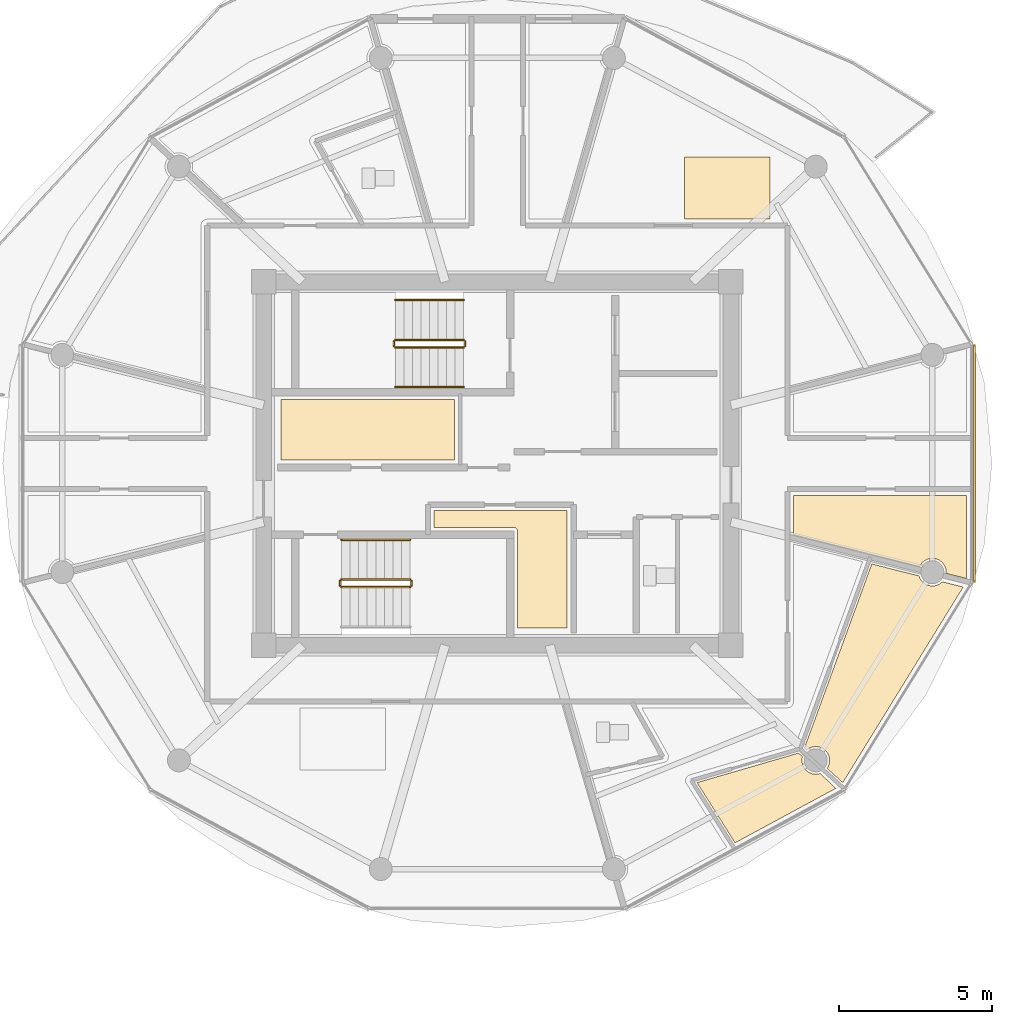
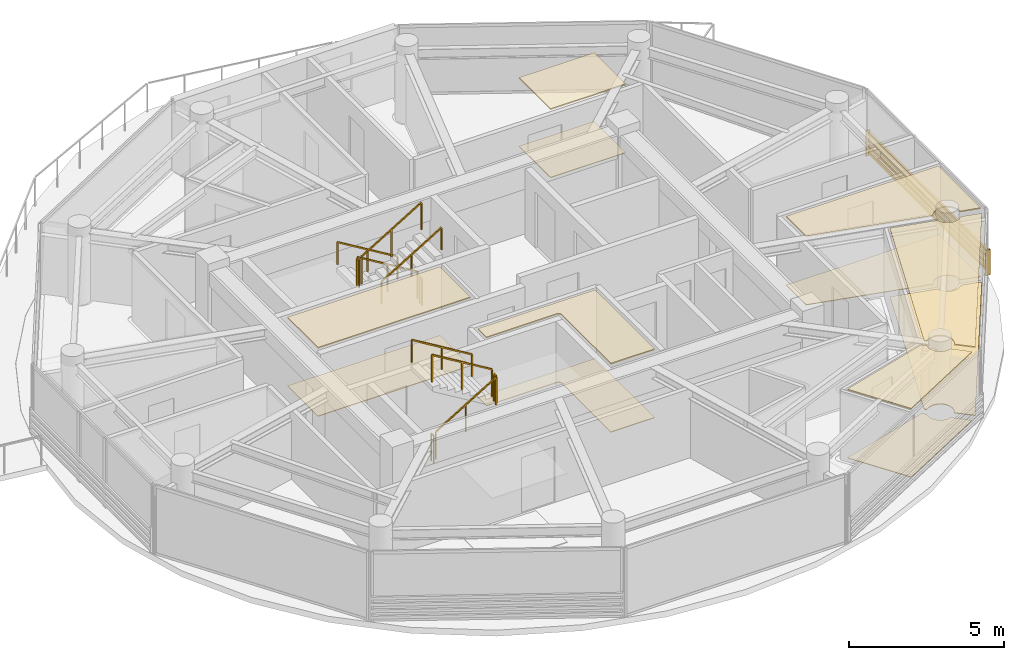
# One storey, part 19 of 21: 12 coverings, 11 railings, 1 shading device.
"""IFC4 building model written with IfcOpenShell, lengths in metres."""

from ifc_helpers import new_model, si_unit, direction, frame, origin, origin_2d, place, context, subcontext, project, spatial, polyline, rectangle, outline, extrude, source, transform, mapped, material, layer, layer_set, type_object, type_shapes, element, save


model = new_model("IFC4")

# Units and contexts
model_context = context("Model", 3, precision=1e-05, world=origin(), true_north=direction((0.0, 1.0)))
body_context = subcontext(model_context, "Body", "Model", "MODEL_VIEW")
ifc_project = project(units=[si_unit("LENGTHUNIT", "METRE"), si_unit("AREAUNIT", "SQUARE_METRE"), si_unit("VOLUMEUNIT", "CUBIC_METRE"), si_unit("PLANEANGLEUNIT", "RADIAN"), si_unit("MASSUNIT", "GRAM", prefix="KILO")], contexts=[model_context])

# Site, building, storey
site_placement = place(None, origin())
site = spatial("IfcSite", under=ifc_project, at=site_placement, CompositionType="ELEMENT")
building_placement = place(site_placement, origin())
building = spatial("IfcBuilding", under=site, at=building_placement, Name="Norrkilde Senior Care Towers", CompositionType="ELEMENT")
storey_placement = place(building_placement, frame((0.0, 0.0, 241.35009765625)))
storey = spatial("IfcBuildingStorey", under=building, at=storey_placement, Name="L75", CompositionType="ELEMENT", Elevation=241.35009765625)

# Coverings
ifc_material_1 = material(Name="Nordic Ash Timber", Category="wood")
ifc_layer_1 = layer(ifc_material_1, 0.044921875)
ifc_layer_set_1 = layer_set([ifc_layer_1], Name="Nordic Ash Timber")
covering_type_1 = type_object("IfcCoveringType", Name="Acoustic Ash Timber Slatted Ceiling 45", PredefinedType="CEILING", material=ifc_layer_set_1)
covering_1_placement = place(storey_placement, frame((0.0, 0.0, 2.684814453125)))
element("IfcCovering", 1, at=covering_1_placement, inside=storey, type_object=covering_type_1, Name="L75 Suspended Ceiling 0479", PredefinedType="CEILING", context=body_context, shape_type="SweptSolid", body=[
    extrude(outline(polyline([(20.919921875, 0.1201171875), (20.919921875, 2.090087890625), (26.60009765625, 2.090087890625), (26.60009765625, 0.1201171875), (20.919921875, 0.1201171875)])), origin(), (0.0, 0.0, 1.0), 0.045166015625),
])
covering_2_placement = place(storey_placement, frame((0.0, 0.0, 2.684814453125)))
element("IfcCovering", 2, at=covering_2_placement, inside=storey, type_object=covering_type_1, Name="L75 Suspended Ceiling 0480", PredefinedType="CEILING", context=body_context, shape_type="SweptSolid", body=[
    extrude(outline(polyline([(28.65478515625, -2.175048828125), (28.65087890625, -2.1640625), (28.645751953125, -2.1533203125), (28.639892578125, -2.143310546875), (28.6328125, -2.1337890625), (28.624755859375, -2.125244140625), (28.6162109375, -2.1171875), (28.606689453125, -2.110107421875), (28.5966796875, -2.104248046875), (28.5859375, -2.09912109375), (28.574951171875, -2.09521484375), (28.5634765625, -2.09228515625), (28.5517578125, -2.090576171875), (28.5400390625, -2.090087890625), (25.919921875, -2.090087890625), (25.919921875, -1.5400390625), (30.2900390625, -1.5400390625), (30.2900390625, -5.3798828125), (28.659912109375, -5.3798828125), (28.659912109375, -2.2099609375), (28.659423828125, -2.1982421875), (28.65771484375, -2.1865234375), (28.65478515625, -2.175048828125)])), origin(), (0.0, 0.0, 1.0), 0.045166015625),
])
covering_3_placement = place(storey_placement, frame((0.0, 0.0, 2.684814453125)))
element("IfcCovering", 3, at=covering_3_placement, inside=storey, type_object=covering_type_1, Name="L75 Suspended Ceiling 0485", PredefinedType="CEILING", context=body_context, shape_type="SweptSolid", body=[
    extrude(outline(polyline([(43.37353515625, -3.76708984375), (42.697509765625, -3.59619140625), (42.702392578125, -3.558837890625), (42.68701171875, -3.44091796875), (42.641357421875, -3.331298828125), (42.569091796875, -3.237060546875), (42.474853515625, -3.164794921875), (42.365234375, -3.119384765625), (42.247314453125, -3.103759765625), (42.129638671875, -3.119384765625), (42.02001953125, -3.164794921875), (41.92578125, -3.237060546875), (41.853271484375, -3.331298828125), (41.834228515625, -3.377685546875), (37.699951171875, -2.331298828125), (37.699951171875, -1.0400390625), (43.37353515625, -1.0400390625), (43.37353515625, -3.76708984375)])), origin(), (0.0, 0.0, 1.0), 0.045166015625),
])
covering_4_placement = place(storey_placement, frame((0.0, 0.0, 2.684814453125)))
element("IfcCovering", 4, at=covering_4_placement, inside=storey, type_object=covering_type_1, Name="L75 Suspended Ceiling 0487", PredefinedType="CEILING", context=body_context, shape_type="SweptSolid", body=[
    extrude(outline(polyline([(34.134765625, 10.033935546875), (36.934814453125, 10.033935546875), (36.934814453125, 8.0), (34.134765625, 8.0), (34.134765625, 10.033935546875)])), origin(), (0.0, 0.0, 1.0), 0.045166015625),
])
covering_5_placement = place(storey_placement, frame((0.0, 0.0, 2.684814453125)))
element("IfcCovering", 5, at=covering_5_placement, inside=storey, type_object=covering_type_1, Name="L75 Suspended Ceiling 0493", PredefinedType="CEILING", context=body_context, shape_type="SweptSolid", body=[
    extrude(outline(polyline([(37.9912109375, -9.6025390625), (37.990234375, -9.60498046875), (37.974853515625, -9.72265625), (37.990234375, -9.840576171875), (38.035888671875, -9.9501953125), (38.108154296875, -10.04443359375), (38.202392578125, -10.11669921875), (38.31201171875, -10.162109375), (38.429931640625, -10.177734375), (38.547607421875, -10.162109375), (38.57275390625, -10.15185546875), (39.08642578125, -10.636962890625), (35.786376953125, -12.42333984375), (34.541748046875, -10.450927734375), (37.864013671875, -9.482421875), (37.9912109375, -9.6025390625)])), origin(), (0.0, 0.0, 1.0), 0.045166015625),
])
covering_6_placement = place(storey_placement, frame((0.0, 0.0, 2.684814453125)))
element("IfcCovering", 6, at=covering_6_placement, inside=storey, type_object=covering_type_1, Name="L75 Suspended Ceiling 0494", PredefinedType="CEILING", context=body_context, shape_type="SweptSolid", body=[
    extrude(outline(polyline([(39.313720703125, -10.451904296875), (38.797119140625, -9.985107421875), (38.823974609375, -9.9501953125), (38.869384765625, -9.840576171875), (38.884765625, -9.72265625), (38.869384765625, -9.60498046875), (38.823974609375, -9.4951171875), (38.75146484375, -9.40087890625), (38.6572265625, -9.32861328125), (38.547607421875, -9.283203125), (38.429931640625, -9.267822265625), (38.31201171875, -9.283203125), (38.202392578125, -9.32861328125), (38.131103515625, -9.38330078125), (38.057861328125, -9.317138671875), (40.263671875, -3.28955078125), (41.809814453125, -3.680908203125), (41.853271484375, -3.786376953125), (41.92578125, -3.880615234375), (42.02001953125, -3.952880859375), (42.129638671875, -3.998291015625), (42.247314453125, -4.013671875), (42.365234375, -3.998291015625), (42.474853515625, -3.952880859375), (42.569091796875, -3.880615234375), (42.573974609375, -3.874267578125), (43.25732421875, -4.04736328125), (39.313720703125, -10.451904296875)])), origin(), (0.0, 0.0, 1.0), 0.045166015625),
])
ifc_material_2 = material(Name="Slip-Resistant Porcelain Stone", Category="masonry")
ifc_layer_2 = layer(ifc_material_2, 0.02490234375)
ifc_layer_set_2 = layer_set([ifc_layer_2], Name="Slip-Resistant Porcelain Stone")
covering_type_2 = type_object("IfcCoveringType", Name="Slip-Resistant Porcelain Flooring 25", PredefinedType="FLOORING", material=ifc_layer_set_2)
covering_7_placement = place(storey_placement, origin())
element("IfcCovering", 7, at=covering_7_placement, inside=storey, type_object=covering_type_2, Name="L75 Floor Finish 0479", PredefinedType="FLOORING", context=body_context, shape_type="SweptSolid", body=[
    extrude(outline(polyline([(20.919921875, 0.1201171875), (20.919921875, 2.090087890625), (26.60009765625, 2.090087890625), (26.60009765625, 0.1201171875), (20.919921875, 0.1201171875)])), origin(), (0.0, 0.0, 1.0), 0.02490234375),
])
covering_8_placement = place(storey_placement, origin())
element("IfcCovering", 8, at=covering_8_placement, inside=storey, type_object=covering_type_2, Name="L75 Floor Finish 0480", PredefinedType="FLOORING", context=body_context, shape_type="SweptSolid", body=[
    extrude(outline(polyline([(28.65478515625, -2.175048828125), (28.65087890625, -2.1640625), (28.645751953125, -2.1533203125), (28.639892578125, -2.143310546875), (28.6328125, -2.1337890625), (28.624755859375, -2.125244140625), (28.6162109375, -2.1171875), (28.606689453125, -2.110107421875), (28.5966796875, -2.104248046875), (28.5859375, -2.09912109375), (28.574951171875, -2.09521484375), (28.5634765625, -2.09228515625), (28.5517578125, -2.090576171875), (28.5400390625, -2.090087890625), (25.919921875, -2.090087890625), (25.919921875, -1.5400390625), (30.2900390625, -1.5400390625), (30.2900390625, -5.3798828125), (28.659912109375, -5.3798828125), (28.659912109375, -2.2099609375), (28.659423828125, -2.1982421875), (28.65771484375, -2.1865234375), (28.65478515625, -2.175048828125)])), origin(), (0.0, 0.0, 1.0), 0.02490234375),
])
covering_9_placement = place(storey_placement, origin())
element("IfcCovering", 9, at=covering_9_placement, inside=storey, type_object=covering_type_2, Name="L75 Floor Finish 0485", PredefinedType="FLOORING", context=body_context, shape_type="SweptSolid", body=[
    extrude(outline(polyline([(43.37353515625, -3.76708984375), (42.697509765625, -3.59619140625), (42.702392578125, -3.558837890625), (42.68701171875, -3.44091796875), (42.641357421875, -3.331298828125), (42.569091796875, -3.237060546875), (42.474853515625, -3.164794921875), (42.365234375, -3.119384765625), (42.247314453125, -3.103759765625), (42.129638671875, -3.119384765625), (42.02001953125, -3.164794921875), (41.92578125, -3.237060546875), (41.853271484375, -3.331298828125), (41.834228515625, -3.377685546875), (37.699951171875, -2.331298828125), (37.699951171875, -1.0400390625), (43.37353515625, -1.0400390625), (43.37353515625, -3.76708984375)])), origin(), (0.0, 0.0, 1.0), 0.02490234375),
])
covering_10_placement = place(storey_placement, origin())
element("IfcCovering", 10, at=covering_10_placement, inside=storey, type_object=covering_type_2, Name="L75 Floor Finish 0487", PredefinedType="FLOORING", context=body_context, shape_type="SweptSolid", body=[
    extrude(outline(polyline([(34.134765625, 10.033935546875), (36.934814453125, 10.033935546875), (36.934814453125, 8.0), (34.134765625, 8.0), (34.134765625, 10.033935546875)])), origin(), (0.0, 0.0, 1.0), 0.02490234375),
])
covering_11_placement = place(storey_placement, origin())
element("IfcCovering", 11, at=covering_11_placement, inside=storey, type_object=covering_type_2, Name="L75 Floor Finish 0493", PredefinedType="FLOORING", context=body_context, shape_type="SweptSolid", body=[
    extrude(outline(polyline([(37.9912109375, -9.6025390625), (37.990234375, -9.60498046875), (37.974853515625, -9.72265625), (37.990234375, -9.840576171875), (38.035888671875, -9.9501953125), (38.108154296875, -10.04443359375), (38.202392578125, -10.11669921875), (38.31201171875, -10.162109375), (38.429931640625, -10.177734375), (38.547607421875, -10.162109375), (38.57275390625, -10.15185546875), (39.08642578125, -10.636962890625), (35.786376953125, -12.42333984375), (34.541748046875, -10.450927734375), (37.864013671875, -9.482421875), (37.9912109375, -9.6025390625)])), origin(), (0.0, 0.0, 1.0), 0.02490234375),
])
covering_12_placement = place(storey_placement, origin())
element("IfcCovering", 12, at=covering_12_placement, inside=storey, type_object=covering_type_2, Name="L75 Floor Finish 0494", PredefinedType="FLOORING", context=body_context, shape_type="SweptSolid", body=[
    extrude(outline(polyline([(39.313720703125, -10.451904296875), (38.797119140625, -9.985107421875), (38.823974609375, -9.9501953125), (38.869384765625, -9.840576171875), (38.884765625, -9.72265625), (38.869384765625, -9.60498046875), (38.823974609375, -9.4951171875), (38.75146484375, -9.40087890625), (38.6572265625, -9.32861328125), (38.547607421875, -9.283203125), (38.429931640625, -9.267822265625), (38.31201171875, -9.283203125), (38.202392578125, -9.32861328125), (38.131103515625, -9.38330078125), (38.057861328125, -9.317138671875), (40.263671875, -3.28955078125), (41.809814453125, -3.680908203125), (41.853271484375, -3.786376953125), (41.92578125, -3.880615234375), (42.02001953125, -3.952880859375), (42.129638671875, -3.998291015625), (42.247314453125, -4.013671875), (42.365234375, -3.998291015625), (42.474853515625, -3.952880859375), (42.569091796875, -3.880615234375), (42.573974609375, -3.874267578125), (43.25732421875, -4.04736328125), (39.313720703125, -10.451904296875)])), origin(), (0.0, 0.0, 1.0), 0.02490234375),
])

# Railings
ifc_material_3 = material(Name="Stainless Steel", Category="steel")
railing_type_1 = type_object("IfcRailingType", Name="Stair and Terrace Guardrail 1100", PredefinedType="GUARDRAIL", material=ifc_material_3)
railing_1_placement = place(storey_placement, frame((26.89990234375, 4.050048828125, 0.16943359375)))
element("IfcRailing", 13, at=railing_1_placement, inside=storey, type_object=railing_type_1, Name="L75 ST-E1 stair guard 1", PredefinedType="GUARDRAIL", context=body_context, shape_type="SweptSolid", body=[
    extrude(rectangle(XDim=0.048095703125, YDim=0.048095703125, at=origin_2d()), frame((0.0, 0.0, 1.076171875), z_axis=(-0.855553338991, 0.0, 0.51771467445), x_axis=(0.0, -1.0, 0.0)), (0.0, 0.0, 1.0), 2.6181640625),
    extrude(rectangle(XDim=0.0419921875, YDim=0.0419921875, at=origin_2d()), origin(), (0.0, 0.0, 1.0), 1.050048828125),
    extrude(rectangle(XDim=0.0419921875, YDim=0.0419921875, at=origin_2d()), frame((-1.1201171875, 0.0, 0.677734375)), (0.0, 0.0, 1.0), 1.050048828125),
    extrude(rectangle(XDim=0.0419921875, YDim=0.0419921875, at=origin_2d()), frame((-2.239990234375, 0.0, 1.35546875)), (0.0, 0.0, 1.0), 1.050048828125),
])
railing_2_placement = place(storey_placement, frame((24.610107421875, 4.0, 1.52490234375)))
element("IfcRailing", 14, at=railing_2_placement, inside=storey, type_object=railing_type_1, Name="L75 ST-E1 stair guard 2", PredefinedType="GUARDRAIL", context=body_context, shape_type="SweptSolid", body=[
    extrude(rectangle(XDim=0.048095703125, YDim=0.048095703125, at=origin_2d()), frame((0.0, 0.0, 1.076171875), z_axis=(0.0, -1.0, 0.0), x_axis=(1.0, 0.0, 0.0)), (0.0, 0.0, 1.0), 0.14990234375),
    extrude(rectangle(XDim=0.0419921875, YDim=0.0419921875, at=origin_2d()), origin(), (0.0, 0.0, 1.0), 1.050048828125),
    extrude(rectangle(XDim=0.0419921875, YDim=0.0419921875, at=origin_2d()), frame((0.0, -0.14990234375, 0.0)), (0.0, 0.0, 1.0), 1.050048828125),
])
railing_3_placement = place(storey_placement, frame((24.659912109375, 3.800048828125, 1.6943359375)))
element("IfcRailing", 15, at=railing_3_placement, inside=storey, type_object=railing_type_1, Name="L75 ST-E1 stair guard 3", PredefinedType="GUARDRAIL", context=body_context, shape_type="SweptSolid", body=[
    extrude(rectangle(XDim=0.048095703125, YDim=0.048095703125, at=origin_2d()), frame((0.0, 0.0, 1.076171875), z_axis=(0.855553338991, 0.0, 0.51771467445), x_axis=(0.0, 1.0, 0.0)), (0.0, 0.0, 1.0), 2.6181640625),
    extrude(rectangle(XDim=0.0419921875, YDim=0.0419921875, at=origin_2d()), origin(), (0.0, 0.0, 1.0), 1.050048828125),
    extrude(rectangle(XDim=0.0419921875, YDim=0.0419921875, at=origin_2d()), frame((1.1201171875, 0.0, 0.677734375)), (0.0, 0.0, 1.0), 1.050048828125),
    extrude(rectangle(XDim=0.0419921875, YDim=0.0419921875, at=origin_2d()), frame((2.239990234375, 0.0, 1.35546875)), (0.0, 0.0, 1.0), 1.050048828125),
])
railing_4_placement = place(storey_placement, frame((26.949951171875, 4.0, 0.0)))
element("IfcRailing", 16, at=railing_4_placement, inside=storey, type_object=railing_type_1, Name="L75 ST-E1 stair guard 4", PredefinedType="GUARDRAIL", context=body_context, shape_type="SweptSolid", body=[
    extrude(rectangle(XDim=0.048095703125, YDim=0.048095703125, at=origin_2d()), frame((0.0, 0.0, 1.076171875), z_axis=(0.0, -1.0, 0.0), x_axis=(1.0, 0.0, 0.0)), (0.0, 0.0, 1.0), 0.14990234375),
    extrude(rectangle(XDim=0.0419921875, YDim=0.0419921875, at=origin_2d()), origin(), (0.0, 0.0, 1.0), 1.050048828125),
    extrude(rectangle(XDim=0.0419921875, YDim=0.0419921875, at=origin_2d()), frame((0.0, -0.14990234375, 0.0)), (0.0, 0.0, 1.0), 1.050048828125),
])
railing_5_placement = place(storey_placement, frame((22.89990234375, -4.050048828125, 0.16943359375)))
element("IfcRailing", 17, at=railing_5_placement, inside=storey, type_object=railing_type_1, Name="L75 ST-E2 stair guard 1", PredefinedType="GUARDRAIL", context=body_context, shape_type="SweptSolid", body=[
    extrude(rectangle(XDim=0.048095703125, YDim=0.048095703125, at=origin_2d()), frame((0.0, 0.0, 1.076171875), z_axis=(0.855553338991, 0.0, 0.51771467445), x_axis=(0.0, 1.0, 0.0)), (0.0, 0.0, 1.0), 2.6181640625),
    extrude(rectangle(XDim=0.0419921875, YDim=0.0419921875, at=origin_2d()), origin(), (0.0, 0.0, 1.0), 1.050048828125),
    extrude(rectangle(XDim=0.0419921875, YDim=0.0419921875, at=origin_2d()), frame((1.1201171875, 0.0, 0.677734375)), (0.0, 0.0, 1.0), 1.050048828125),
    extrude(rectangle(XDim=0.0419921875, YDim=0.0419921875, at=origin_2d()), frame((2.239990234375, 0.0, 1.35546875)), (0.0, 0.0, 1.0), 1.050048828125),
])
railing_6_placement = place(storey_placement, frame((25.18994140625, -4.0, 1.52490234375)))
element("IfcRailing", 18, at=railing_6_placement, inside=storey, type_object=railing_type_1, Name="L75 ST-E2 stair guard 2", PredefinedType="GUARDRAIL", context=body_context, shape_type="SweptSolid", body=[
    extrude(rectangle(XDim=0.048095703125, YDim=0.048095703125, at=origin_2d()), frame((0.0, 0.0, 1.076171875), z_axis=(0.0, 1.0, 0.0), x_axis=(-1.0, 0.0, 0.0)), (0.0, 0.0, 1.0), 0.14990234375),
    extrude(rectangle(XDim=0.0419921875, YDim=0.0419921875, at=origin_2d()), origin(), (0.0, 0.0, 1.0), 1.050048828125),
    extrude(rectangle(XDim=0.0419921875, YDim=0.0419921875, at=origin_2d()), frame((0.0, 0.14990234375, 0.0)), (0.0, 0.0, 1.0), 1.050048828125),
])
railing_7_placement = place(storey_placement, frame((25.139892578125, -3.800048828125, 1.6943359375)))
element("IfcRailing", 19, at=railing_7_placement, inside=storey, type_object=railing_type_1, Name="L75 ST-E2 stair guard 3", PredefinedType="GUARDRAIL", context=body_context, shape_type="SweptSolid", body=[
    extrude(rectangle(XDim=0.048095703125, YDim=0.048095703125, at=origin_2d()), frame((0.0, 0.0, 1.076171875), z_axis=(-0.855553338991, 0.0, 0.51771467445), x_axis=(0.0, -1.0, 0.0)), (0.0, 0.0, 1.0), 2.6181640625),
    extrude(rectangle(XDim=0.0419921875, YDim=0.0419921875, at=origin_2d()), origin(), (0.0, 0.0, 1.0), 1.050048828125),
    extrude(rectangle(XDim=0.0419921875, YDim=0.0419921875, at=origin_2d()), frame((-1.1201171875, 0.0, 0.677734375)), (0.0, 0.0, 1.0), 1.050048828125),
    extrude(rectangle(XDim=0.0419921875, YDim=0.0419921875, at=origin_2d()), frame((-2.239990234375, 0.0, 1.35546875)), (0.0, 0.0, 1.0), 1.050048828125),
])
railing_8_placement = place(storey_placement, frame((22.85009765625, -4.0, 0.0)))
element("IfcRailing", 20, at=railing_8_placement, inside=storey, type_object=railing_type_1, Name="L75 ST-E2 stair guard 4", PredefinedType="GUARDRAIL", context=body_context, shape_type="SweptSolid", body=[
    extrude(rectangle(XDim=0.048095703125, YDim=0.048095703125, at=origin_2d()), frame((0.0, 0.0, 1.076171875), z_axis=(0.0, 1.0, 0.0), x_axis=(-1.0, 0.0, 0.0)), (0.0, 0.0, 1.0), 0.14990234375),
    extrude(rectangle(XDim=0.0419921875, YDim=0.0419921875, at=origin_2d()), origin(), (0.0, 0.0, 1.0), 1.050048828125),
    extrude(rectangle(XDim=0.0419921875, YDim=0.0419921875, at=origin_2d()), frame((0.0, 0.14990234375, 0.0)), (0.0, 0.0, 1.0), 1.050048828125),
])
railing_type_2 = type_object("IfcRailingType", Name="Wall and Stair Handrail 900", PredefinedType="HANDRAIL", material=ifc_material_1)
railing_9_placement = place(storey_placement, frame((26.89990234375, 5.35009765625, 0.16943359375)))
element("IfcRailing", 21, at=railing_9_placement, inside=storey, type_object=railing_type_2, Name="L75 ST-E1 stair handrail 1", PredefinedType="HANDRAIL", context=body_context, shape_type="SweptSolid", body=[
    extrude(rectangle(XDim=0.048095703125, YDim=0.048095703125, at=origin_2d()), frame((0.0, 0.0, 0.8759765625), z_axis=(-0.855553338991, 0.0, 0.51771467445), x_axis=(0.0, -1.0, 0.0)), (0.0, 0.0, 1.0), 2.6181640625),
    extrude(rectangle(XDim=0.0419921875, YDim=0.0419921875, at=origin_2d()), origin(), (0.0, 0.0, 1.0), 0.849853515625),
    extrude(rectangle(XDim=0.0419921875, YDim=0.0419921875, at=origin_2d()), frame((-1.1201171875, 0.0, 0.677734375)), (0.0, 0.0, 1.0), 0.849853515625),
    extrude(rectangle(XDim=0.0419921875, YDim=0.0419921875, at=origin_2d()), frame((-2.239990234375, 0.0, 1.35546875)), (0.0, 0.0, 1.0), 0.849853515625),
])
railing_10_placement = place(storey_placement, frame((24.659912109375, 2.5, 1.6943359375)))
element("IfcRailing", 22, at=railing_10_placement, inside=storey, type_object=railing_type_2, Name="L75 ST-E1 stair handrail 2", PredefinedType="HANDRAIL", context=body_context, shape_type="SweptSolid", body=[
    extrude(rectangle(XDim=0.048095703125, YDim=0.048095703125, at=origin_2d()), frame((0.0, 0.0, 0.8759765625), z_axis=(0.855553338991, 0.0, 0.51771467445), x_axis=(0.0, 1.0, 0.0)), (0.0, 0.0, 1.0), 2.6181640625),
    extrude(rectangle(XDim=0.0419921875, YDim=0.0419921875, at=origin_2d()), origin(), (0.0, 0.0, 1.0), 0.849853515625),
    extrude(rectangle(XDim=0.0419921875, YDim=0.0419921875, at=origin_2d()), frame((1.1201171875, 0.0, 0.677734375)), (0.0, 0.0, 1.0), 0.849853515625),
    extrude(rectangle(XDim=0.0419921875, YDim=0.0419921875, at=origin_2d()), frame((2.239990234375, 0.0, 1.35546875)), (0.0, 0.0, 1.0), 0.849853515625),
])
railing_11_placement = place(storey_placement, frame((25.139892578125, -2.5, 1.6943359375)))
element("IfcRailing", 23, at=railing_11_placement, inside=storey, type_object=railing_type_2, Name="L75 ST-E2 stair handrail 2", PredefinedType="HANDRAIL", context=body_context, shape_type="SweptSolid", body=[
    extrude(rectangle(XDim=0.048095703125, YDim=0.048095703125, at=origin_2d()), frame((0.0, 0.0, 0.8759765625), z_axis=(-0.855553338991, 0.0, 0.51771467445), x_axis=(0.0, -1.0, 0.0)), (0.0, 0.0, 1.0), 2.6181640625),
    extrude(rectangle(XDim=0.0419921875, YDim=0.0419921875, at=origin_2d()), origin(), (0.0, 0.0, 1.0), 0.849853515625),
    extrude(rectangle(XDim=0.0419921875, YDim=0.0419921875, at=origin_2d()), frame((-1.1201171875, 0.0, 0.677734375)), (0.0, 0.0, 1.0), 0.849853515625),
    extrude(rectangle(XDim=0.0419921875, YDim=0.0419921875, at=origin_2d()), frame((-2.239990234375, 0.0, 1.35546875)), (0.0, 0.0, 1.0), 0.849853515625),
])

# Shading device
ifc_material_4 = material(Name="Architectural Terracotta", Category="masonry")
shading_device_type = type_object("IfcShadingDeviceType", Name="Horizontal Terracotta Baguette Rack", PredefinedType="USERDEFINED", material=ifc_material_4)
shared_shape = source(origin(), body_context, "Body", "SweptSolid", [
    extrude(rectangle(XDim=0.070068359375, YDim=0.110107421875, at=origin_2d()), frame((0.0, 0.090087890625, 0.125), z_axis=(1.0, 0.0, 0.0), x_axis=(0.0, 1.0, 0.0)), (0.0, 0.0, 1.0), 7.80615234375),
    extrude(rectangle(XDim=0.070068359375, YDim=0.110107421875, at=origin_2d()), frame((0.0, 0.090087890625, 0.375), z_axis=(1.0, 0.0, 0.0), x_axis=(0.0, 1.0, 0.0)), (0.0, 0.0, 1.0), 7.80615234375),
    extrude(rectangle(XDim=0.070068359375, YDim=0.110107421875, at=origin_2d()), frame((0.0, 0.090087890625, 0.625), z_axis=(1.0, 0.0, 0.0), x_axis=(0.0, 1.0, 0.0)), (0.0, 0.0, 1.0), 7.80615234375),
    extrude(rectangle(XDim=0.070068359375, YDim=0.110107421875, at=origin_2d()), frame((0.0, 0.090087890625, 0.875), z_axis=(1.0, 0.0, 0.0), x_axis=(0.0, 1.0, 0.0)), (0.0, 0.0, 1.0), 7.80615234375),
    extrude(rectangle(XDim=0.050048828125, YDim=0.1552734375, at=origin_2d()), frame((0.02490234375, 0.047607421875, 0.0)), (0.0, 0.0, 1.0), 1.0),
    extrude(rectangle(XDim=0.050048828125, YDim=0.1552734375, at=origin_2d()), frame((7.78125, 0.047607421875, 0.0)), (0.0, 0.0, 1.0), 1.0),
])
type_shapes(shading_device_type, [shared_shape])
shading_device_placement = place(storey_placement, frame((43.531982421875, 3.903076171875, 0.079833984375), z_axis=(0.0, 0.0, 1.0), x_axis=(0.0, -1.0, 0.0)))
element("IfcShadingDevice", 24, at=shading_device_placement, inside=storey, type_object=shading_device_type, Name="L75 Drum E Terracotta Baguette Screen 11", ObjectType="BAGUETTE", PredefinedType="USERDEFINED", context=body_context, shape_type="MappedRepresentation", body=[
    mapped(shared_shape, transform((0.0, 0.0, 0.0), x_axis=(1.0, 0.0, 0.0), y_axis=(0.0, 1.0, 0.0), z_axis=(0.0, 0.0, 1.0), scale=1.0)),
])

save(model, "model.ifc")
